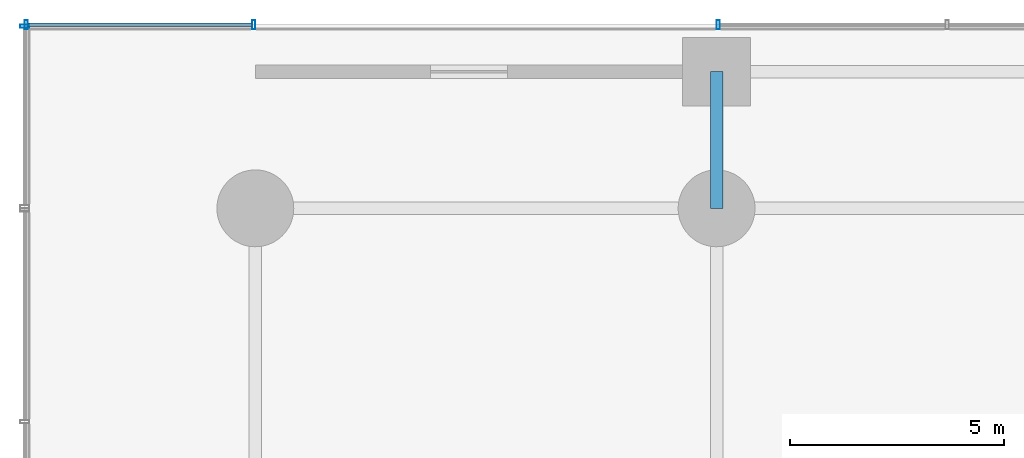
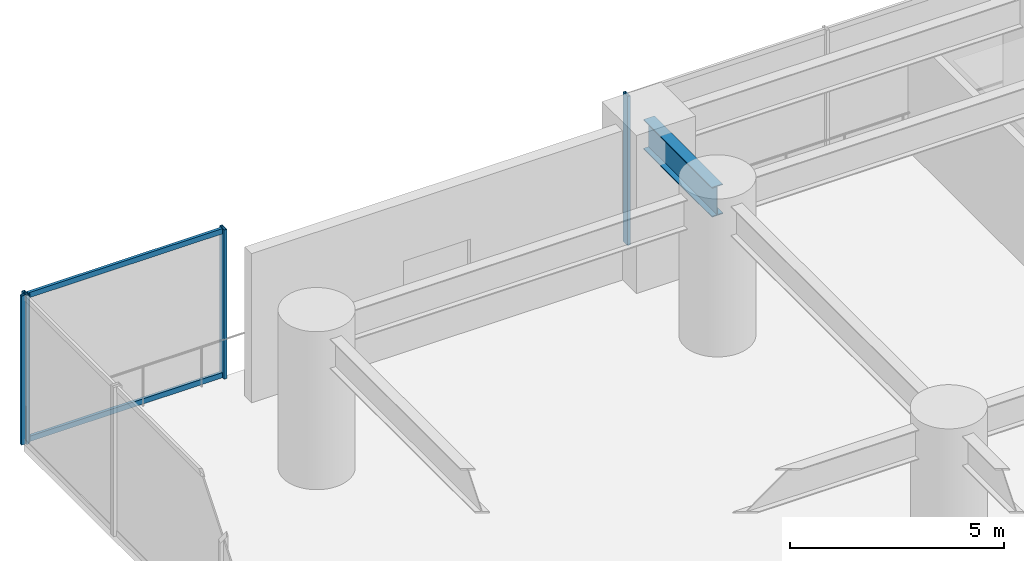
# One storey, part 14 of 36: 6 members, 1 beam, 3 elements without a shape of their own.
"""IFC4 building model written with IfcOpenShell, lengths in metres."""

from ifc_helpers import new_model, si_unit, direction, frame, origin, origin_2d, place, context, subcontext, project, spatial, hollow_rectangle, i_section, extrude, material, layer, layer_set, material_profile, profile_set, type_object, element, aggregate, save


model = new_model("IFC4")

# Units and contexts
model_context = context("Model", 3, precision=1e-05, world=origin(), true_north=direction((0.0, 1.0)))
body_context = subcontext(model_context, "Body", "Model", "MODEL_VIEW")
ifc_project = project(units=[si_unit("LENGTHUNIT", "METRE"), si_unit("AREAUNIT", "SQUARE_METRE"), si_unit("VOLUMEUNIT", "CUBIC_METRE"), si_unit("PLANEANGLEUNIT", "RADIAN"), si_unit("MASSUNIT", "GRAM", prefix="KILO")], contexts=[model_context])

# Site, building, storey
site_placement = place(None, origin())
site = spatial("IfcSite", under=ifc_project, at=site_placement, CompositionType="ELEMENT")
building_placement = place(site_placement, origin())
building = spatial("IfcBuilding", under=site, at=building_placement, Name="Surkhivell Harbour Commons", CompositionType="ELEMENT")
storey_placement = place(building_placement, frame((0.0, 0.0, 9.0)))
storey = spatial("IfcBuildingStorey", under=building, at=storey_placement, Name="L02", CompositionType="ELEMENT", Elevation=9.0)

# Beam
ifc_material_1 = material(Name="Steel S460", Category="steel")
ifc_material_profile_1 = material_profile(ifc_material_1, i_section(OverallWidth=0.2939453125, OverallDepth=0.85107421875, WebThickness=0.01611328125, FlangeThickness=0.02685546875, at=origin_2d()), Name="UB838x292x226")
ifc_profile_set_1 = profile_set([ifc_material_profile_1], Name="Steel S460")
beam_type = type_object("IfcBeamType", Name="BM-SPN-838", PredefinedType="SPANDREL", material=ifc_profile_set_1)
beam_placement = place(storey_placement, frame((-21.60009765625, 21.60009765625, 3.824462890625), z_axis=(0.0, 1.0, 0.0), x_axis=(-1.0, 0.0, 0.0)))
element("IfcBeam", 1, at=beam_placement, inside=storey, type_object=beam_type, Name="L02 Framing Beam (-21.6,21.6)", PredefinedType="SPANDREL", context=body_context, shape_type="SweptSolid", body=[
    extrude(i_section(OverallWidth=0.2939453125, OverallDepth=0.85107421875, WebThickness=0.01611328125, FlangeThickness=0.02685546875, at=origin_2d()), origin(), (0.0, 0.0, 1.0), 3.199951171875),
])

# Curtain wall, members
ifc_material_2 = material(Name="Anodised pale-metal aluminium and insulated glazing", Category="aluminium")
ifc_layer = layer(ifc_material_2, 0.239990234375)
ifc_layer_set = layer_set([ifc_layer], Name="Anodised pale-metal aluminium and insulated glazing")
curtain_wall_type = type_object("IfcCurtainWallType", Name="CW-SYS-POD", PredefinedType="NOTDEFINED", material=ifc_layer_set)
curtain_wall_1_placement = place(storey_placement, origin())
curtain_wall_1 = element("IfcCurtainWall", 2, at=curtain_wall_1_placement, inside=storey, type_object=curtain_wall_type, Name="L02 Curtain Wall CW-L02-N1", PredefinedType="NOTDEFINED")
ifc_material_3 = material(Name="Anodised pale-metal aluminium alloy 6063-T6", Category="aluminium")
ifc_material_profile_2 = material_profile(ifc_material_3, hollow_rectangle(XDim=0.074951171875, YDim=0.219970703125, WallThickness=0.00390625, at=origin_2d()), Name="ALU-MULL-75x220")
ifc_profile_set_2 = profile_set([ifc_material_profile_2], Name="Anodised pale-metal aluminium alloy 6063-T6")
member_type_1 = type_object("IfcMemberType", Name="CWM-220", PredefinedType="MULLION", material=ifc_profile_set_2)
member_1_placement = place(storey_placement, frame((-37.762451171875, 25.89990234375, 0.0), z_axis=(0.0, 0.0, 1.0), x_axis=(1.0, 0.0, 0.0)))
member_1 = element("IfcMember", 3, at=member_1_placement, type_object=member_type_1, Name="CW-POD mullion 1", PredefinedType="MULLION", context=body_context, shape_type="SweptSolid", body=[
    extrude(hollow_rectangle(XDim=0.074951171875, YDim=0.219970703125, WallThickness=0.00390625, at=origin_2d()), origin(), (0.0, 0.0, 1.0), 4.25),
])
member_2_placement = place(storey_placement, frame((-32.4375, 25.89990234375, 0.0), z_axis=(0.0, 0.0, 1.0), x_axis=(1.0, 0.0, 0.0)))
member_2 = element("IfcMember", 4, at=member_2_placement, type_object=member_type_1, Name="CW-POD mullion 2", PredefinedType="MULLION", context=body_context, shape_type="SweptSolid", body=[
    extrude(hollow_rectangle(XDim=0.074951171875, YDim=0.219970703125, WallThickness=0.00390625, at=origin_2d()), origin(), (0.0, 0.0, 1.0), 4.25),
])

# Curtain wall, member
curtain_wall_2_placement = place(storey_placement, origin())
curtain_wall_2 = element("IfcCurtainWall", 5, at=curtain_wall_2_placement, inside=storey, type_object=curtain_wall_type, Name="L02 Curtain Wall CW-L02-N3", PredefinedType="NOTDEFINED")
member_3_placement = place(storey_placement, frame((-21.5625, 25.89990234375, 0.0), z_axis=(0.0, 0.0, 1.0), x_axis=(1.0, 0.0, 0.0)))
member_3 = element("IfcMember", 6, at=member_3_placement, type_object=member_type_1, Name="CW-POD mullion 1", PredefinedType="MULLION", context=body_context, shape_type="SweptSolid", body=[
    extrude(hollow_rectangle(XDim=0.074951171875, YDim=0.219970703125, WallThickness=0.00390625, at=origin_2d()), origin(), (0.0, 0.0, 1.0), 4.25),
])
aggregate(curtain_wall_2, [member_3])

curtain_wall_3_placement = place(storey_placement, origin())
curtain_wall_3 = element("IfcCurtainWall", 7, at=curtain_wall_3_placement, inside=storey, type_object=curtain_wall_type, Name="L02 Curtain Wall CW-L02-W6", PredefinedType="NOTDEFINED")
member_4_placement = place(storey_placement, frame((-37.800048828125, 25.862548828125, 0.0), z_axis=(0.0, 0.0, 1.0), x_axis=(0.0, 1.0, 0.0)))
member_4 = element("IfcMember", 8, at=member_4_placement, type_object=member_type_1, Name="CW-POD mullion 2", PredefinedType="MULLION", context=body_context, shape_type="SweptSolid", body=[
    extrude(hollow_rectangle(XDim=0.074951171875, YDim=0.219970703125, WallThickness=0.00390625, at=origin_2d()), origin(), (0.0, 0.0, 1.0), 4.25),
])
aggregate(curtain_wall_3, [member_4])

# Member
ifc_material_profile_3 = material_profile(ifc_material_3, hollow_rectangle(XDim=0.074951171875, YDim=0.14990234375, WallThickness=0.00341796875, at=origin_2d()), Name="ALU-TRAN-75x150")
ifc_profile_set_3 = profile_set([ifc_material_profile_3], Name="Anodised pale-metal aluminium alloy 6063-T6")
member_type_2 = type_object("IfcMemberType", Name="CWT-150", PredefinedType="USERDEFINED", material=ifc_profile_set_3)
member_5_placement = place(storey_placement, frame((-37.72509765625, 25.89990234375, 0.074951171875), z_axis=(1.0, 0.0, 0.0), x_axis=(0.0, 1.0, 0.0)))
member_5 = element("IfcMember", 9, at=member_5_placement, type_object=member_type_2, Name="CW-POD transom 1.1", ObjectType="TRANSOM", PredefinedType="USERDEFINED", context=body_context, shape_type="SweptSolid", body=[
    extrude(hollow_rectangle(XDim=0.074951171875, YDim=0.14990234375, WallThickness=0.00341796875, at=origin_2d()), origin(), (0.0, 0.0, 1.0), 5.25),
])

member_6_placement = place(storey_placement, frame((-37.72509765625, 25.89990234375, 4.175048828125), z_axis=(1.0, 0.0, 0.0), x_axis=(0.0, 1.0, 0.0)))
member_6 = element("IfcMember", 10, at=member_6_placement, type_object=member_type_2, Name="CW-POD transom 1.2", ObjectType="TRANSOM", PredefinedType="USERDEFINED", context=body_context, shape_type="SweptSolid", body=[
    extrude(hollow_rectangle(XDim=0.074951171875, YDim=0.14990234375, WallThickness=0.00341796875, at=origin_2d()), origin(), (0.0, 0.0, 1.0), 5.25),
])

aggregate(curtain_wall_1, [member_1, member_2, member_5, member_6])

save(model, "model.ifc")
